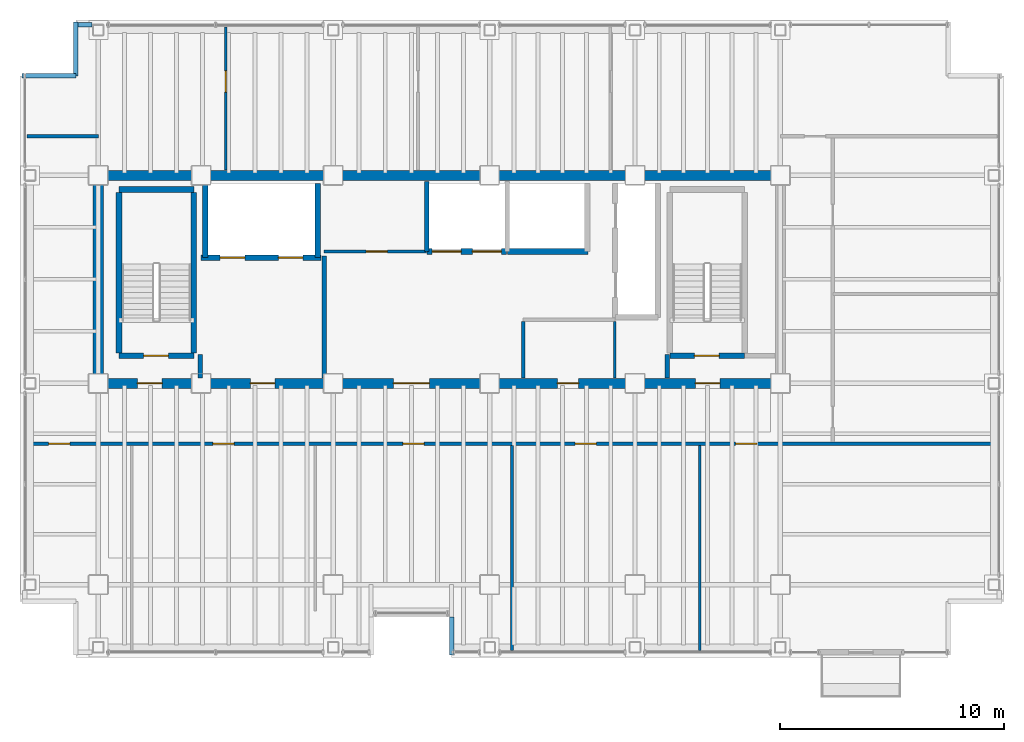
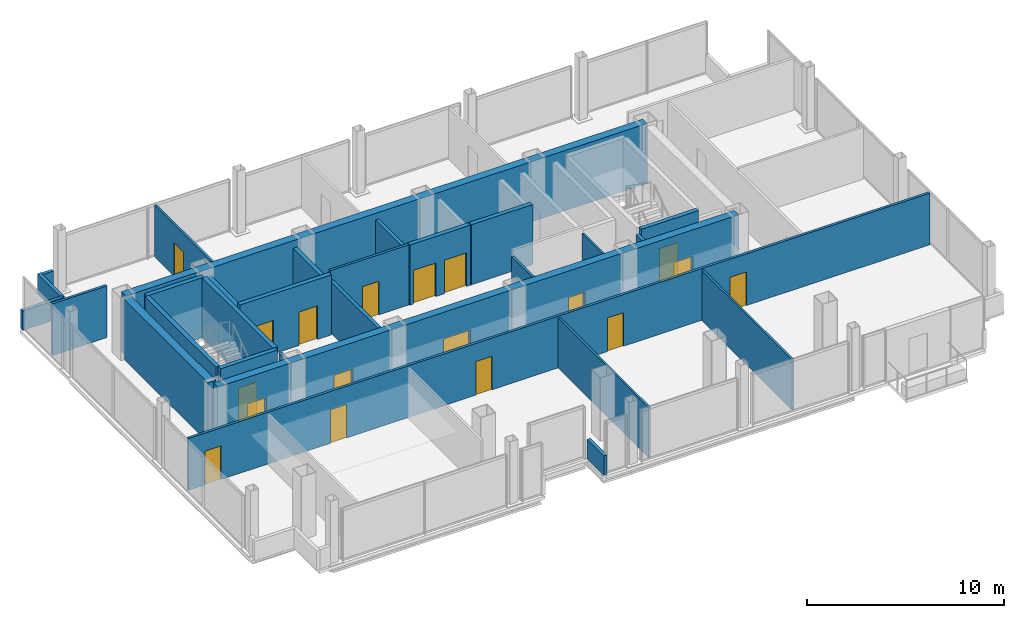
# One storey, part 13 of 16: 29 walls, 18 doors, 18 openings.
"""IFC4 building model written with IfcOpenShell, lengths in metres."""

from ifc_helpers import new_model, si_unit, direction, frame, frame_2d, origin, place, context, subcontext, project, spatial, rectangle, extrude, material, layer, layer_set, type_object, element, fill, save


model = new_model("IFC4")

# Units and contexts
model_context = context("Model", 3, precision=1e-05, world=origin(), true_north=direction((0.0, 1.0)))
body_context = subcontext(model_context, "Body", "Model", "MODEL_VIEW")
ifc_project = project(units=[si_unit("LENGTHUNIT", "METRE"), si_unit("AREAUNIT", "SQUARE_METRE"), si_unit("VOLUMEUNIT", "CUBIC_METRE"), si_unit("PLANEANGLEUNIT", "RADIAN"), si_unit("MASSUNIT", "GRAM", prefix="KILO")], contexts=[model_context])

# Site, building, storey
site_placement = place(None, origin())
site = spatial("IfcSite", under=ifc_project, at=site_placement, CompositionType="ELEMENT")
building_placement = place(site_placement, origin())
building = spatial("IfcBuilding", under=site, at=building_placement, Name="Noeulbin Bourse Tower", CompositionType="ELEMENT")
storey_placement = place(building_placement, frame((0.0, 0.0, 185.10009765625)))
storey = spatial("IfcBuildingStorey", under=building, at=storey_placement, Name="L46", CompositionType="ELEMENT", Elevation=185.10009765625)

# Wall, openings, doors
ifc_material_1 = material(Name="Concrete C50/60", Category="concrete")
ifc_layer_1 = layer(ifc_material_1, 0.449951171875)
ifc_layer_set_1 = layer_set([ifc_layer_1], Name="Concrete C50/60")
wall_type_1 = type_object("IfcWallType", Name="WAL-CORE-450", PredefinedType="SHEAR", material=ifc_layer_set_1)
wall_1_placement = place(storey_placement, frame((13.5, 29.0, 0.0), z_axis=(0.0, 0.0, 1.0), x_axis=(1.0, 0.0, 0.0)))
wall_1 = element("IfcWall", 1, at=wall_1_placement, inside=storey, type_object=wall_type_1, Name="Rear Core South Shear Wall L46", PredefinedType="SHEAR", context=body_context, shape_type="SweptSolid", body=[
    extrude(rectangle(XDim=30.5, YDim=0.449951171875, at=frame_2d((15.25, 0.0))), origin(), (0.0, 0.0, 1.0), 3.719970703125),
])
opening_1_placement = place(wall_1_placement, frame((1.75, 0.0, 0.0)))
opening_1 = element("IfcOpeningElement", 2, at=opening_1_placement, cuts=wall_1, Name="Opening FD-11", PredefinedType="OPENING", context=body_context, shape_type="SweptSolid", body=[
    extrude(rectangle(XDim=1.10009765625, YDim=2.080078125, at=frame_2d((0.550048828125, 1.0400390625))), frame((0.0, 0.23486328125, 0.0), z_axis=(0.0, -1.0, 0.0), x_axis=(1.0, 0.0, 0.0)), (0.0, 0.0, 1.0), 0.469970703125),
])
opening_2_placement = place(wall_1_placement, frame((26.699951171875, 0.0, 0.0)))
opening_2 = element("IfcOpeningElement", 3, at=opening_2_placement, cuts=wall_1, Name="Opening FD-11", PredefinedType="OPENING", context=body_context, shape_type="SweptSolid", body=[
    extrude(rectangle(XDim=1.10009765625, YDim=2.080078125, at=frame_2d((0.550048828125, 1.0400390625))), frame((0.0, 0.23486328125, 0.0), z_axis=(0.0, -1.0, 0.0), x_axis=(1.0, 0.0, 0.0)), (0.0, 0.0, 1.0), 0.469970703125),
])
opening_3_placement = place(wall_1_placement, frame((6.800048828125, 0.0, 0.0)))
opening_3 = element("IfcOpeningElement", 4, at=opening_3_placement, cuts=wall_1, Name="Opening FD-11", PredefinedType="OPENING", context=body_context, shape_type="SweptSolid", body=[
    extrude(rectangle(XDim=1.10009765625, YDim=2.080078125, at=frame_2d((0.550048828125, 1.0400390625))), frame((0.0, 0.23486328125, 0.0), z_axis=(0.0, -1.0, 0.0), x_axis=(1.0, 0.0, 0.0)), (0.0, 0.0, 1.0), 0.469970703125),
])
opening_4_placement = place(wall_1_placement, frame((13.199951171875, 0.0, 0.0)))
opening_4 = element("IfcOpeningElement", 5, at=opening_4_placement, cuts=wall_1, Name="Opening ID-16", PredefinedType="OPENING", context=body_context, shape_type="SweptSolid", body=[
    extrude(rectangle(XDim=1.60009765625, YDim=2.080078125, at=frame_2d((0.800048828125, 1.0400390625))), frame((0.0, 0.23486328125, 0.0), z_axis=(0.0, -1.0, 0.0), x_axis=(1.0, 0.0, 0.0)), (0.0, 0.0, 1.0), 0.469970703125),
])
opening_5_placement = place(wall_1_placement, frame((20.52490234375, 0.0, 0.0)))
opening_5 = element("IfcOpeningElement", 6, at=opening_5_placement, cuts=wall_1, Name="Opening ID-09", PredefinedType="OPENING", context=body_context, shape_type="SweptSolid", body=[
    extrude(rectangle(XDim=0.949951171875, YDim=2.080078125, at=frame_2d((0.47509765625, 1.0400390625))), frame((0.0, 0.23486328125, 0.0), z_axis=(0.0, -1.0, 0.0), x_axis=(1.0, 0.0, 0.0)), (0.0, 0.0, 1.0), 0.469970703125),
])
ifc_material_2 = material(Name="Acoustic Glazed Aluminium", Category="aluminium")
door_type_1 = type_object("IfcDoorType", Name="DR-DBL-1600", OperationType="DOUBLE_DOOR_SINGLE_SWING", PredefinedType="DOOR", material=ifc_material_2)
door_1_placement = place(opening_4_placement, origin())
door_1 = element("IfcDoor", 7, at=door_1_placement, inside=storey, type_object=door_type_1, Name="Passenger Lift Lobby Portal L46", OperationType="DOUBLE_DOOR_SINGLE_SWING", OverallHeight=2.080078125, OverallWidth=1.60009765625, PredefinedType="DOOR", context=body_context, shape_type="SweptSolid", body=[
    extrude(rectangle(XDim=1.60009765625, YDim=2.080078125, at=frame_2d((0.800048828125, 1.0400390625))), frame((0.0, 0.02490234375, 0.0), z_axis=(0.0, -1.0, 0.0), x_axis=(1.0, 0.0, 0.0)), (0.0, 0.0, 1.0), 0.050048828125),
])
fill(opening_4, door_1)
ifc_material_3 = material(Name="Fire-Rated Insulated Steel", Category="steel")
door_type_2 = type_object("IfcDoorType", Name="DR-FD60-1100", OperationType="SINGLE_SWING_LEFT", PredefinedType="DOOR", material=ifc_material_3)
door_2_placement = place(opening_1_placement, origin())
door_2 = element("IfcDoor", 8, at=door_2_placement, inside=storey, type_object=door_type_2, Name="West Stair Lobby Door L46", OperationType="SINGLE_SWING_RIGHT", OverallHeight=2.080078125, OverallWidth=1.10009765625, PredefinedType="DOOR", context=body_context, shape_type="SweptSolid", body=[
    extrude(rectangle(XDim=1.10009765625, YDim=2.080078125, at=frame_2d((0.550048828125, 1.0400390625))), frame((0.0, 0.02490234375, 0.0), z_axis=(0.0, -1.0, 0.0), x_axis=(1.0, 0.0, 0.0)), (0.0, 0.0, 1.0), 0.050048828125),
])
fill(opening_1, door_2)
door_3_placement = place(opening_2_placement, origin())
door_3 = element("IfcDoor", 9, at=door_3_placement, inside=storey, type_object=door_type_2, Name="East Stair Lobby Door L46", OperationType="SINGLE_SWING_LEFT", OverallHeight=2.080078125, OverallWidth=1.10009765625, PredefinedType="DOOR", context=body_context, shape_type="SweptSolid", body=[
    extrude(rectangle(XDim=1.10009765625, YDim=2.080078125, at=frame_2d((0.550048828125, 1.0400390625))), frame((0.0, 0.02490234375, 0.0), z_axis=(0.0, -1.0, 0.0), x_axis=(1.0, 0.0, 0.0)), (0.0, 0.0, 1.0), 0.050048828125),
])
fill(opening_2, door_3)
door_4_placement = place(opening_3_placement, origin())
door_4 = element("IfcDoor", 10, at=door_4_placement, inside=storey, type_object=door_type_2, Name="Firefighting Lobby Door L46", OperationType="SINGLE_SWING_RIGHT", OverallHeight=2.080078125, OverallWidth=1.10009765625, PredefinedType="DOOR", context=body_context, shape_type="SweptSolid", body=[
    extrude(rectangle(XDim=1.10009765625, YDim=2.080078125, at=frame_2d((0.550048828125, 1.0400390625))), frame((0.0, 0.02490234375, 0.0), z_axis=(0.0, -1.0, 0.0), x_axis=(1.0, 0.0, 0.0)), (0.0, 0.0, 1.0), 0.050048828125),
])
fill(opening_3, door_4)
ifc_material_4 = material(Name="Acoustic Solid-Core Timber", Category="wood")
door_type_3 = type_object("IfcDoorType", Name="DR-SINGLE-950", OperationType="SINGLE_SWING_LEFT", PredefinedType="DOOR", material=ifc_material_4)
door_5_placement = place(opening_5_placement, origin())
door_5 = element("IfcDoor", 11, at=door_5_placement, inside=storey, type_object=door_type_3, Name="Interior Door L46-06", OperationType="SINGLE_SWING_LEFT", OverallHeight=2.080078125, OverallWidth=0.949951171875, PredefinedType="DOOR", context=body_context, shape_type="SweptSolid", body=[
    extrude(rectangle(XDim=0.949951171875, YDim=2.080078125, at=frame_2d((0.47509765625, 1.0400390625))), frame((0.0, 0.02490234375, 0.0), z_axis=(0.0, -1.0, 0.0), x_axis=(1.0, 0.0, 0.0)), (0.0, 0.0, 1.0), 0.050048828125),
])
fill(opening_5, door_5)

# Walls
wall_2_placement = place(storey_placement, frame((13.5, 38.300048828125, 0.0), z_axis=(0.0, 0.0, 1.0), x_axis=(1.0, 0.0, 0.0)))
element("IfcWall", 12, at=wall_2_placement, inside=storey, type_object=wall_type_1, Name="Rear Core North Shear Wall L46", PredefinedType="SHEAR", context=body_context, shape_type="SweptSolid", body=[
    extrude(rectangle(XDim=30.5, YDim=0.449951171875, at=frame_2d((15.25, 0.0))), origin(), (0.0, 0.0, 1.0), 3.719970703125),
])
wall_3_placement = place(storey_placement, frame((13.5, 29.35009765625, 0.0), z_axis=(0.0, 0.0, 1.0), x_axis=(0.0, 1.0, 0.0)))
element("IfcWall", 13, at=wall_3_placement, inside=storey, type_object=wall_type_1, Name="Rear Core West Shear Wall L46", PredefinedType="SHEAR", context=body_context, shape_type="SweptSolid", body=[
    extrude(rectangle(XDim=8.599853515625, YDim=0.449951171875, at=frame_2d((4.2998046875, 0.0))), origin(), (0.0, 0.0, 1.0), 3.719970703125),
])
ifc_material_5 = material(Name="Concrete C40/50", Category="concrete")
ifc_layer_2 = layer(ifc_material_5, 0.199951171875)
ifc_layer_set_2 = layer_set([ifc_layer_2], Name="Concrete C40/50")
wall_type_2 = type_object("IfcWallType", Name="WAL-FIRE-200", PredefinedType="STANDARD", material=ifc_layer_set_2)
for number, where, z_axis, x_axis, name in (
    (14, (18.050048828125, 29.235107421875, 0.0), (0.0, 0.0, 1.0), (0.0, 1.0, 0.0), "Interior Partition Wall L46-08"),
    (15, (38.949951171875, 29.235107421875, 0.0), (0.0, 0.0, 1.0), (0.0, 1.0, 0.0), "Interior Partition Wall L46-09"),
):
    element("IfcWall", number, at=place(storey_placement, frame(where, z_axis=z_axis, x_axis=x_axis)), inside=storey, type_object=wall_type_2, Name=name, PredefinedType="STANDARD", context=body_context, shape_type="SweptSolid", body=[
        extrude(rectangle(XDim=1.06494140625, YDim=0.199951171875, at=frame_2d((0.532470703125, 0.0))), origin(), (0.0, 0.0, 1.0), 3.349853515625),
    ])
wall_4_placement = place(storey_placement, frame((23.60009765625, 29.235107421875, 0.0), z_axis=(0.0, 0.0, 1.0), x_axis=(0.0, 1.0, 0.0)))
element("IfcWall", 16, at=wall_4_placement, inside=storey, type_object=wall_type_2, Name="Interior Partition Wall L46-10", PredefinedType="STANDARD", context=body_context, shape_type="SweptSolid", body=[
    extrude(rectangle(XDim=5.46484375, YDim=0.199951171875, at=frame_2d((2.732421875, 0.0))), origin(), (0.0, 0.0, 1.0), 3.199951171875),
])
ifc_layer_3 = layer(ifc_material_5, 0.199951171875)
ifc_layer_set_3 = layer_set([ifc_layer_3], Name="Concrete C40/50")
wall_type_3 = type_object("IfcWallType", Name="WAL-PAR-200", PredefinedType="PARAPET", material=ifc_layer_set_3)
wall_5_placement = place(storey_placement, frame((12.60009765625, 45.030029296875, 0.0), z_axis=(0.0, 0.0, 1.0), x_axis=(1.0, 0.0, 0.0)))
element("IfcWall", 17, at=wall_5_placement, inside=storey, type_object=wall_type_3, Name="Perimeter Pier Spandrel Parapet L46-N1", PredefinedType="PARAPET", context=body_context, shape_type="SweptSolid", body=[
    extrude(rectangle(XDim=0.6298828125, YDim=0.199951171875, at=frame_2d((0.31494140625, 0.0))), origin(), (0.0, 0.0, 1.0), 1.199951171875),
])
for number, where, z_axis, x_axis, name in (
    (18, (10.10009765625, 42.75, 0.0), (0.0, 0.0, 1.0), (1.0, 0.0, 0.0), "Corner Notch Parapet L46-NW1"),
    (19, (12.5, 42.75, 0.0), (0.0, 0.0, 1.0), (0.0, 1.0, 0.0), "Corner Notch Parapet L46-NW2"),
):
    element("IfcWall", number, at=place(storey_placement, frame(where, z_axis=z_axis, x_axis=x_axis)), inside=storey, type_object=wall_type_3, Name=name, PredefinedType="PARAPET", context=body_context, shape_type="SweptSolid", body=[
        extrude(rectangle(XDim=2.39990234375, YDim=0.199951171875, at=frame_2d((1.199951171875, 0.0))), origin(), (0.0, 0.0, 1.0), 1.199951171875),
    ])
wall_6_placement = place(storey_placement, frame((29.300048828125, 18.550048828125, 0.0), z_axis=(0.0, 0.0, 1.0), x_axis=(0.0, -1.0, 0.0)))
element("IfcWall", 20, at=wall_6_placement, inside=storey, type_object=wall_type_3, Name="Sky-Garden Recess Parapet L46-E", PredefinedType="PARAPET", context=body_context, shape_type="SweptSolid", body=[
    extrude(rectangle(XDim=1.699951171875, YDim=0.199951171875, at=frame_2d((0.85009765625, 0.0))), origin(), (0.0, 0.0, 1.0), 1.199951171875),
])
ifc_material_6 = material(Name="Steel Stud Gypsum Partition", Category="steel")
ifc_layer_4 = layer(ifc_material_6, 0.1201171875)
ifc_layer_set_4 = layer_set([ifc_layer_4], Name="Steel Stud Gypsum Partition")
wall_type_4 = type_object("IfcWallType", Name="WAL-PRT-120", PredefinedType="PARTITIONING", material=ifc_layer_set_4)
wall_7_placement = place(storey_placement, frame((36.60009765625, 29.235107421875, 0.0), z_axis=(0.0, 0.0, 1.0), x_axis=(0.0, 1.0, 0.0)))
element("IfcWall", 21, at=wall_7_placement, inside=storey, type_object=wall_type_4, Name="Interior Partition Wall L46-12", PredefinedType="PARTITIONING", context=body_context, shape_type="SweptSolid", body=[
    extrude(rectangle(XDim=2.52978515625, YDim=0.1201171875, at=frame_2d((1.264892578125, 0.0))), origin(), (0.0, 0.0, 1.0), 3.349853515625),
])
for number, where, z_axis, x_axis, name in (
    (22, (32.0, 17.06005859375, 0.0), (0.0, 0.0, 1.0), (0.0, 1.0, 0.0), "Interior Partition Wall L46-16"),
    (23, (40.39990234375, 17.06005859375, 0.0), (0.0, 0.0, 1.0), (0.0, 1.0, 0.0), "Interior Partition Wall L46-17"),
):
    element("IfcWall", number, at=place(storey_placement, frame(where, z_axis=z_axis, x_axis=x_axis)), inside=storey, type_object=wall_type_4, Name=name, PredefinedType="PARTITIONING", context=body_context, shape_type="SweptSolid", body=[
        extrude(rectangle(XDim=9.155029296875, YDim=0.1201171875, at=frame_2d((4.57763671875, 0.0))), origin(), (0.0, 0.0, 1.0), 3.099853515625),
    ])

# Wall, opening, door
wall_8_placement = place(storey_placement, frame((19.199951171875, 38.534912109375, 0.0), z_axis=(0.0, 0.0, 1.0), x_axis=(0.0, 1.0, 0.0)))
wall_8 = element("IfcWall", 24, at=wall_8_placement, inside=storey, type_object=wall_type_4, Name="Interior Partition Wall L46-18", PredefinedType="PARTITIONING", context=body_context, shape_type="SweptSolid", body=[
    extrude(rectangle(XDim=6.405029296875, YDim=0.1201171875, at=frame_2d((3.20263671875, 0.0))), origin(), (0.0, 0.0, 1.0), 3.2119140625),
])
opening_6_placement = place(wall_8_placement, frame((3.485107421875, 0.0, 0.0)))
opening_6 = element("IfcOpeningElement", 25, at=opening_6_placement, cuts=wall_8, Name="Opening ID-09", PredefinedType="OPENING", context=body_context, shape_type="SweptSolid", body=[
    extrude(rectangle(XDim=0.949951171875, YDim=2.080078125, at=frame_2d((0.47509765625, 1.0400390625))), frame((0.0, 0.070068359375, 0.0), z_axis=(0.0, -1.0, 0.0), x_axis=(1.0, 0.0, 0.0)), (0.0, 0.0, 1.0), 0.14013671875),
])
door_6_placement = place(opening_6_placement, origin())
door_6 = element("IfcDoor", 26, at=door_6_placement, inside=storey, type_object=door_type_3, Name="Interior Door L46-15", OperationType="SINGLE_SWING_RIGHT", OverallHeight=2.080078125, OverallWidth=0.949951171875, PredefinedType="DOOR", context=body_context, shape_type="SweptSolid", body=[
    extrude(rectangle(XDim=0.949951171875, YDim=2.080078125, at=frame_2d((0.47509765625, 1.0400390625))), frame((0.0, 0.02490234375, 0.0), z_axis=(0.0, -1.0, 0.0), x_axis=(1.0, 0.0, 0.0)), (0.0, 0.0, 1.0), 0.050048828125),
])
fill(opening_6, door_6)

ifc_material_7 = material(Name="Steel Stud Acoustic Gypsum Board", Category="steel")
ifc_layer_5 = layer(ifc_material_7, 0.14990234375)
ifc_layer_set_5 = layer_set([ifc_layer_5], Name="Steel Stud Acoustic Gypsum Board")
wall_type_5 = type_object("IfcWallType", Name="WAL-PRT-150", PredefinedType="PARTITIONING", material=ifc_layer_set_5)
wall_9_placement = place(storey_placement, frame((23.60009765625, 34.89990234375, 0.0), z_axis=(0.0, 0.0, 1.0), x_axis=(1.0, 0.0, 0.0)))
wall_9 = element("IfcWall", 27, at=wall_9_placement, inside=storey, type_object=wall_type_5, Name="Interior Partition Wall L46-02", PredefinedType="PARTITIONING", context=body_context, shape_type="SweptSolid", body=[
    extrude(rectangle(XDim=4.579833984375, YDim=0.14990234375, at=frame_2d((2.2900390625, 0.0))), origin(), (0.0, 0.0, 1.0), 3.719970703125),
])
opening_7_placement = place(wall_9_placement, frame((1.875, 0.0, 0.0)))
opening_7 = element("IfcOpeningElement", 28, at=opening_7_placement, cuts=wall_9, Name="Opening ID-09", PredefinedType="OPENING", context=body_context, shape_type="SweptSolid", body=[
    extrude(rectangle(XDim=0.949951171875, YDim=2.080078125, at=frame_2d((0.47509765625, 1.0400390625))), frame((0.0, 0.0849609375, 0.0), z_axis=(0.0, -1.0, 0.0), x_axis=(1.0, 0.0, 0.0)), (0.0, 0.0, 1.0), 0.169921875),
])
door_7_placement = place(opening_7_placement, origin())
door_7 = element("IfcDoor", 29, at=door_7_placement, inside=storey, type_object=door_type_3, Name="Archive Room Door L46", OperationType="SINGLE_SWING_RIGHT", OverallHeight=2.080078125, OverallWidth=0.949951171875, PredefinedType="DOOR", context=body_context, shape_type="SweptSolid", body=[
    extrude(rectangle(XDim=0.949951171875, YDim=2.080078125, at=frame_2d((0.47509765625, 1.0400390625))), frame((0.0, 0.02490234375, 0.0), z_axis=(0.0, -1.0, 0.0), x_axis=(1.0, 0.0, 0.0)), (0.0, 0.0, 1.0), 0.050048828125),
])
fill(opening_7, door_7)

# Wall, openings, doors
wall_10_placement = place(storey_placement, frame((10.31005859375, 26.300048828125, 0.0), z_axis=(0.0, 0.0, 1.0), x_axis=(1.0, 0.0, 0.0)))
wall_10 = element("IfcWall", 30, at=wall_10_placement, inside=storey, type_object=wall_type_5, Name="Interior Partition Wall L46-04", PredefinedType="PARTITIONING", context=body_context, shape_type="SweptSolid", body=[
    extrude(rectangle(XDim=43.3798828125, YDim=0.14990234375, at=frame_2d((21.68994140625, 0.0))), origin(), (0.0, 0.0, 1.0), 3.199951171875),
])
opening_8_placement = place(wall_10_placement, frame((0.969970703125, 0.0, 0.0)))
opening_8 = element("IfcOpeningElement", 31, at=opening_8_placement, cuts=wall_10, Name="Opening ID-09", PredefinedType="OPENING", context=body_context, shape_type="SweptSolid", body=[
    extrude(rectangle(XDim=0.949951171875, YDim=2.080078125, at=frame_2d((0.47509765625, 1.0400390625))), frame((0.0, 0.0849609375, 0.0), z_axis=(0.0, -1.0, 0.0), x_axis=(1.0, 0.0, 0.0)), (0.0, 0.0, 1.0), 0.169921875),
])
opening_9_placement = place(wall_10_placement, frame((8.31494140625, 0.0, 0.0)))
opening_9 = element("IfcOpeningElement", 32, at=opening_9_placement, cuts=wall_10, Name="Opening ID-09", PredefinedType="OPENING", context=body_context, shape_type="SweptSolid", body=[
    extrude(rectangle(XDim=0.949951171875, YDim=2.080078125, at=frame_2d((0.47509765625, 1.0400390625))), frame((0.0, 0.0849609375, 0.0), z_axis=(0.0, -1.0, 0.0), x_axis=(1.0, 0.0, 0.0)), (0.0, 0.0, 1.0), 0.169921875),
])
opening_10_placement = place(wall_10_placement, frame((16.81494140625, 0.0, 0.0)))
opening_10 = element("IfcOpeningElement", 33, at=opening_10_placement, cuts=wall_10, Name="Opening ID-09", PredefinedType="OPENING", context=body_context, shape_type="SweptSolid", body=[
    extrude(rectangle(XDim=0.949951171875, YDim=2.080078125, at=frame_2d((0.47509765625, 1.0400390625))), frame((0.0, 0.0849609375, 0.0), z_axis=(0.0, -1.0, 0.0), x_axis=(1.0, 0.0, 0.0)), (0.0, 0.0, 1.0), 0.169921875),
])
opening_11_placement = place(wall_10_placement, frame((24.514892578125, 0.0, 0.0)))
opening_11 = element("IfcOpeningElement", 34, at=opening_11_placement, cuts=wall_10, Name="Opening ID-09", PredefinedType="OPENING", context=body_context, shape_type="SweptSolid", body=[
    extrude(rectangle(XDim=0.949951171875, YDim=2.080078125, at=frame_2d((0.47509765625, 1.0400390625))), frame((0.0, 0.0849609375, 0.0), z_axis=(0.0, -1.0, 0.0), x_axis=(1.0, 0.0, 0.0)), (0.0, 0.0, 1.0), 0.169921875),
])
opening_12_placement = place(wall_10_placement, frame((31.68994140625, 0.0, 0.0)))
opening_12 = element("IfcOpeningElement", 35, at=opening_12_placement, cuts=wall_10, Name="Opening ID-09", PredefinedType="OPENING", context=body_context, shape_type="SweptSolid", body=[
    extrude(rectangle(XDim=0.949951171875, YDim=2.080078125, at=frame_2d((0.47509765625, 1.0400390625))), frame((0.0, 0.0849609375, 0.0), z_axis=(0.0, -1.0, 0.0), x_axis=(1.0, 0.0, 0.0)), (0.0, 0.0, 1.0), 0.169921875),
])
door_8_placement = place(opening_8_placement, origin())
door_8 = element("IfcDoor", 36, at=door_8_placement, inside=storey, type_object=door_type_3, Name="Interior Door L46-07", OperationType="SINGLE_SWING_RIGHT", OverallHeight=2.080078125, OverallWidth=0.949951171875, PredefinedType="DOOR", context=body_context, shape_type="SweptSolid", body=[
    extrude(rectangle(XDim=0.949951171875, YDim=2.080078125, at=frame_2d((0.47509765625, 1.0400390625))), frame((0.0, 0.02490234375, 0.0), z_axis=(0.0, -1.0, 0.0), x_axis=(1.0, 0.0, 0.0)), (0.0, 0.0, 1.0), 0.050048828125),
])
fill(opening_8, door_8)
door_9_placement = place(opening_9_placement, origin())
door_9 = element("IfcDoor", 37, at=door_9_placement, inside=storey, type_object=door_type_3, Name="Interior Door L46-08", OperationType="SINGLE_SWING_LEFT", OverallHeight=2.080078125, OverallWidth=0.949951171875, PredefinedType="DOOR", context=body_context, shape_type="SweptSolid", body=[
    extrude(rectangle(XDim=0.949951171875, YDim=2.080078125, at=frame_2d((0.47509765625, 1.0400390625))), frame((0.0, 0.02490234375, 0.0), z_axis=(0.0, -1.0, 0.0), x_axis=(1.0, 0.0, 0.0)), (0.0, 0.0, 1.0), 0.050048828125),
])
fill(opening_9, door_9)
door_10_placement = place(opening_10_placement, origin())
door_10 = element("IfcDoor", 38, at=door_10_placement, inside=storey, type_object=door_type_3, Name="Interior Door L46-09", OperationType="SINGLE_SWING_RIGHT", OverallHeight=2.080078125, OverallWidth=0.949951171875, PredefinedType="DOOR", context=body_context, shape_type="SweptSolid", body=[
    extrude(rectangle(XDim=0.949951171875, YDim=2.080078125, at=frame_2d((0.47509765625, 1.0400390625))), frame((0.0, 0.02490234375, 0.0), z_axis=(0.0, -1.0, 0.0), x_axis=(1.0, 0.0, 0.0)), (0.0, 0.0, 1.0), 0.050048828125),
])
fill(opening_10, door_10)
door_11_placement = place(opening_11_placement, origin())
door_11 = element("IfcDoor", 39, at=door_11_placement, inside=storey, type_object=door_type_3, Name="Interior Door L46-10", OperationType="SINGLE_SWING_LEFT", OverallHeight=2.080078125, OverallWidth=0.949951171875, PredefinedType="DOOR", context=body_context, shape_type="SweptSolid", body=[
    extrude(rectangle(XDim=0.949951171875, YDim=2.080078125, at=frame_2d((0.47509765625, 1.0400390625))), frame((0.0, 0.02490234375, 0.0), z_axis=(0.0, -1.0, 0.0), x_axis=(1.0, 0.0, 0.0)), (0.0, 0.0, 1.0), 0.050048828125),
])
fill(opening_11, door_11)
door_12_placement = place(opening_12_placement, origin())
door_12 = element("IfcDoor", 40, at=door_12_placement, inside=storey, type_object=door_type_3, Name="Interior Door L46-11", OperationType="SINGLE_SWING_RIGHT", OverallHeight=2.080078125, OverallWidth=0.949951171875, PredefinedType="DOOR", context=body_context, shape_type="SweptSolid", body=[
    extrude(rectangle(XDim=0.949951171875, YDim=2.080078125, at=frame_2d((0.47509765625, 1.0400390625))), frame((0.0, 0.02490234375, 0.0), z_axis=(0.0, -1.0, 0.0), x_axis=(1.0, 0.0, 0.0)), (0.0, 0.0, 1.0), 0.050048828125),
])
fill(opening_12, door_12)

# Walls
wall_11_placement = place(storey_placement, frame((10.31005859375, 40.050048828125, 0.0), z_axis=(0.0, 0.0, 1.0), x_axis=(1.0, 0.0, 0.0)))
element("IfcWall", 41, at=wall_11_placement, inside=storey, type_object=wall_type_5, Name="Interior Partition Wall L46-06", PredefinedType="PARTITIONING", context=body_context, shape_type="SweptSolid", body=[
    extrude(rectangle(XDim=3.18994140625, YDim=0.14990234375, at=frame_2d((1.594970703125, 0.0))), origin(), (0.0, 0.0, 1.0), 3.199951171875),
])
wall_12_placement = place(storey_placement, frame((32.5, 29.235107421875, 0.0), z_axis=(0.0, 0.0, 1.0), x_axis=(0.0, 1.0, 0.0)))
element("IfcWall", 42, at=wall_12_placement, inside=storey, type_object=wall_type_5, Name="Interior Partition Wall L46-11", PredefinedType="PARTITIONING", context=body_context, shape_type="SweptSolid", body=[
    extrude(rectangle(XDim=2.52978515625, YDim=0.14990234375, at=frame_2d((1.264892578125, 0.0))), origin(), (0.0, 0.0, 1.0), 3.349853515625),
])

# Wall, opening, door
ifc_layer_6 = layer(ifc_material_5, 0.25)
ifc_layer_set_6 = layer_set([ifc_layer_6], Name="Concrete C40/50")
wall_type_6 = type_object("IfcWallType", Name="WAL-SHFT-250", PredefinedType="STANDARD", material=ifc_layer_set_6)
wall_13_placement = place(storey_placement, frame((14.429931640625, 30.235107421875, 0.0), z_axis=(0.0, 0.0, 1.0), x_axis=(1.0, 0.0, 0.0)))
wall_13 = element("IfcWall", 43, at=wall_13_placement, inside=storey, type_object=wall_type_6, Name="Stair ST-1 South Shaft Wall L46", PredefinedType="STANDARD", context=body_context, shape_type="SweptSolid", body=[
    extrude(rectangle(XDim=3.340087890625, YDim=0.25, at=frame_2d((1.669921875, 0.0))), origin(), (0.0, 0.0, 1.0), 3.719970703125),
])
opening_13_placement = place(wall_13_placement, frame((1.10009765625, 0.0, 0.0)))
opening_13 = element("IfcOpeningElement", 44, at=opening_13_placement, cuts=wall_13, Name="Opening FD-11", PredefinedType="OPENING", context=body_context, shape_type="SweptSolid", body=[
    extrude(rectangle(XDim=1.10009765625, YDim=2.080078125, at=frame_2d((0.550048828125, 1.0400390625))), frame((0.0, 0.135009765625, 0.0), z_axis=(0.0, -1.0, 0.0), x_axis=(1.0, 0.0, 0.0)), (0.0, 0.0, 1.0), 0.27001953125),
])
door_13_placement = place(opening_13_placement, origin())
door_13 = element("IfcDoor", 45, at=door_13_placement, inside=storey, type_object=door_type_2, Name="Protected Stair Entry Door ST1-L46", OperationType="SINGLE_SWING_RIGHT", OverallHeight=2.080078125, OverallWidth=1.10009765625, PredefinedType="DOOR", context=body_context, shape_type="SweptSolid", body=[
    extrude(rectangle(XDim=1.10009765625, YDim=2.080078125, at=frame_2d((0.550048828125, 1.0400390625))), frame((0.0, 0.02490234375, 0.0), z_axis=(0.0, -1.0, 0.0), x_axis=(1.0, 0.0, 0.0)), (0.0, 0.0, 1.0), 0.050048828125),
])
fill(opening_13, door_13)

# Walls
wall_14_placement = place(storey_placement, frame((14.429931640625, 37.6689453125, 0.0), z_axis=(0.0, 0.0, 1.0), x_axis=(1.0, 0.0, 0.0)))
element("IfcWall", 46, at=wall_14_placement, inside=storey, type_object=wall_type_6, Name="Stair ST-1 North Shaft Wall L46", PredefinedType="STANDARD", context=body_context, shape_type="SweptSolid", body=[
    extrude(rectangle(XDim=3.340087890625, YDim=0.25, at=frame_2d((1.669921875, 0.0))), origin(), (0.0, 0.0, 1.0), 3.719970703125),
])
for number, where, z_axis, x_axis, name in (
    (47, (14.425048828125, 30.360107421875, 0.0), (0.0, 0.0, 1.0), (0.0, 1.0, 0.0), "Stair ST-1 West Shaft Wall L46"),
    (48, (17.77490234375, 30.360107421875, 0.0), (0.0, 0.0, 1.0), (0.0, 1.0, 0.0), "Stair ST-1 East Shaft Wall L46"),
):
    element("IfcWall", number, at=place(storey_placement, frame(where, z_axis=z_axis, x_axis=x_axis)), inside=storey, type_object=wall_type_6, Name=name, PredefinedType="STANDARD", context=body_context, shape_type="SweptSolid", body=[
        extrude(rectangle(XDim=7.183837890625, YDim=0.25, at=frame_2d((3.591796875, 0.0))), origin(), (0.0, 0.0, 1.0), 3.719970703125),
    ])

# Wall, opening, door
wall_15_placement = place(storey_placement, frame((39.06005859375, 30.235107421875, 0.0), z_axis=(0.0, 0.0, 1.0), x_axis=(1.0, 0.0, 0.0)))
wall_15 = element("IfcWall", 49, at=wall_15_placement, inside=storey, type_object=wall_type_6, Name="Stair ST-2 South Shaft Wall L46", PredefinedType="STANDARD", context=body_context, shape_type="SweptSolid", body=[
    extrude(rectangle(XDim=3.33984375, YDim=0.25, at=frame_2d((1.669921875, 0.0))), origin(), (0.0, 0.0, 1.0), 3.719970703125),
])
opening_14_placement = place(wall_15_placement, frame((1.10009765625, 0.0, 0.0)))
opening_14 = element("IfcOpeningElement", 50, at=opening_14_placement, cuts=wall_15, Name="Opening FD-11", PredefinedType="OPENING", context=body_context, shape_type="SweptSolid", body=[
    extrude(rectangle(XDim=1.10009765625, YDim=2.080078125, at=frame_2d((0.550048828125, 1.0400390625))), frame((0.0, 0.135009765625, 0.0), z_axis=(0.0, -1.0, 0.0), x_axis=(1.0, 0.0, 0.0)), (0.0, 0.0, 1.0), 0.27001953125),
])
door_14_placement = place(opening_14_placement, origin())
door_14 = element("IfcDoor", 51, at=door_14_placement, inside=storey, type_object=door_type_2, Name="Protected Stair Entry Door ST2-L46", OperationType="SINGLE_SWING_LEFT", OverallHeight=2.080078125, OverallWidth=1.10009765625, PredefinedType="DOOR", context=body_context, shape_type="SweptSolid", body=[
    extrude(rectangle(XDim=1.10009765625, YDim=2.080078125, at=frame_2d((0.550048828125, 1.0400390625))), frame((0.0, 0.02490234375, 0.0), z_axis=(0.0, -1.0, 0.0), x_axis=(1.0, 0.0, 0.0)), (0.0, 0.0, 1.0), 0.050048828125),
])
fill(opening_14, door_14)

# Wall, openings, doors
wall_16_placement = place(storey_placement, frame((18.10009765625, 34.6201171875, 0.0), z_axis=(0.0, 0.0, 1.0), x_axis=(1.0, 0.0, 0.0)))
wall_16 = element("IfcWall", 52, at=wall_16_placement, inside=storey, type_object=wall_type_6, Name="Firefighting Lift Shaft Front L46", PredefinedType="STANDARD", context=body_context, shape_type="SweptSolid", body=[
    extrude(rectangle(XDim=5.349853515625, YDim=0.25, at=frame_2d((2.6748046875, 0.0))), origin(), (0.0, 0.0, 1.0), 3.719970703125),
])
opening_15_placement = place(wall_16_placement, frame((0.85009765625, 0.0, 0.0)))
opening_15 = element("IfcOpeningElement", 53, at=opening_15_placement, cuts=wall_16, Name="Opening LD-11", PredefinedType="OPENING", context=body_context, shape_type="SweptSolid", body=[
    extrude(rectangle(XDim=1.10009765625, YDim=2.080078125, at=frame_2d((0.550048828125, 1.0400390625))), frame((0.0, 0.135009765625, 0.0), z_axis=(0.0, -1.0, 0.0), x_axis=(1.0, 0.0, 0.0)), (0.0, 0.0, 1.0), 0.27001953125),
])
opening_16_placement = place(wall_16_placement, frame((3.449951171875, 0.0, 0.0)))
opening_16 = element("IfcOpeningElement", 54, at=opening_16_placement, cuts=wall_16, Name="Opening LD-11", PredefinedType="OPENING", context=body_context, shape_type="SweptSolid", body=[
    extrude(rectangle(XDim=1.10009765625, YDim=2.080078125, at=frame_2d((0.550048828125, 1.0400390625))), frame((0.0, 0.135009765625, 0.0), z_axis=(0.0, -1.0, 0.0), x_axis=(1.0, 0.0, 0.0)), (0.0, 0.0, 1.0), 0.27001953125),
])
ifc_material_8 = material(Name="Brushed Stainless Steel 316", Category="steel")
door_type_4 = type_object("IfcDoorType", Name="DR-LIFT-1100", OperationType="SLIDING_TO_LEFT", PredefinedType="DOOR", material=ifc_material_8)
door_15_placement = place(opening_15_placement, origin())
door_15 = element("IfcDoor", 55, at=door_15_placement, inside=storey, type_object=door_type_4, Name="Lift Landing Door LD-FL-01-L46", OperationType="SLIDING_TO_LEFT", OverallHeight=2.080078125, OverallWidth=1.10009765625, PredefinedType="DOOR", context=body_context, shape_type="SweptSolid", body=[
    extrude(rectangle(XDim=1.10009765625, YDim=2.080078125, at=frame_2d((0.550048828125, 1.0400390625))), frame((0.0, 0.02490234375, 0.0), z_axis=(0.0, -1.0, 0.0), x_axis=(1.0, 0.0, 0.0)), (0.0, 0.0, 1.0), 0.050048828125),
])
fill(opening_15, door_15)
door_16_placement = place(opening_16_placement, origin())
door_16 = element("IfcDoor", 56, at=door_16_placement, inside=storey, type_object=door_type_4, Name="Lift Landing Door LD-FL-02-L46", OperationType="SLIDING_TO_LEFT", OverallHeight=2.080078125, OverallWidth=1.10009765625, PredefinedType="DOOR", context=body_context, shape_type="SweptSolid", body=[
    extrude(rectangle(XDim=1.10009765625, YDim=2.080078125, at=frame_2d((0.550048828125, 1.0400390625))), frame((0.0, 0.02490234375, 0.0), z_axis=(0.0, -1.0, 0.0), x_axis=(1.0, 0.0, 0.0)), (0.0, 0.0, 1.0), 0.050048828125),
])
fill(opening_16, door_16)

# Walls
for number, where, z_axis, x_axis, name in (
    (57, (18.280029296875, 34.6201171875, 0.0), (0.0, 0.0, 1.0), (0.0, 1.0, 0.0), "Firefighting Lift West Shaft Wall L46"),
    (58, (23.320068359375, 34.6201171875, 0.0), (0.0, 0.0, 1.0), (0.0, 1.0, 0.0), "Firefighting Lift East Shaft Wall L46"),
):
    element("IfcWall", number, at=place(storey_placement, frame(where, z_axis=z_axis, x_axis=x_axis)), inside=storey, type_object=wall_type_6, Name=name, PredefinedType="STANDARD", context=body_context, shape_type="SweptSolid", body=[
        extrude(rectangle(XDim=3.329833984375, YDim=0.25, at=frame_2d((1.6650390625, 0.0))), origin(), (0.0, 0.0, 1.0), 3.349853515625),
    ])

# Wall, openings, doors
wall_17_placement = place(storey_placement, frame((28.199951171875, 34.89990234375, 0.0), z_axis=(0.0, 0.0, 1.0), x_axis=(1.0, 0.0, 0.0)))
wall_17 = element("IfcWall", 59, at=wall_17_placement, inside=storey, type_object=wall_type_6, Name="Mid-Rise Lift Bank Front L46", PredefinedType="STANDARD", context=body_context, shape_type="SweptSolid", body=[
    extrude(rectangle(XDim=3.550048828125, YDim=0.25, at=frame_2d((1.77490234375, 0.0))), origin(), (0.0, 0.0, 1.0), 3.719970703125),
])
opening_17_placement = place(wall_17_placement, frame((0.22998046875, 0.0, 0.0)))
opening_17 = element("IfcOpeningElement", 60, at=opening_17_placement, cuts=wall_17, Name="Opening LD-13", PredefinedType="OPENING", context=body_context, shape_type="SweptSolid", body=[
    extrude(rectangle(XDim=1.300048828125, YDim=2.080078125, at=frame_2d((0.64990234375, 1.0400390625))), frame((0.0, 0.135009765625, 0.0), z_axis=(0.0, -1.0, 0.0), x_axis=(1.0, 0.0, 0.0)), (0.0, 0.0, 1.0), 0.27001953125),
])
opening_18_placement = place(wall_17_placement, frame((2.030029296875, 0.0, 0.0)))
opening_18 = element("IfcOpeningElement", 61, at=opening_18_placement, cuts=wall_17, Name="Opening LD-13", PredefinedType="OPENING", context=body_context, shape_type="SweptSolid", body=[
    extrude(rectangle(XDim=1.300048828125, YDim=2.080078125, at=frame_2d((0.64990234375, 1.0400390625))), frame((0.0, 0.135009765625, 0.0), z_axis=(0.0, -1.0, 0.0), x_axis=(1.0, 0.0, 0.0)), (0.0, 0.0, 1.0), 0.27001953125),
])
door_type_5 = type_object("IfcDoorType", Name="DR-LIFT-1300", OperationType="DOUBLE_DOOR_SLIDING", PredefinedType="DOOR", material=ifc_material_8)
door_17_placement = place(opening_17_placement, origin())
door_17 = element("IfcDoor", 62, at=door_17_placement, inside=storey, type_object=door_type_5, Name="Lift Landing Door LD-PL-M1-L46", OperationType="DOUBLE_DOOR_SLIDING", OverallHeight=2.080078125, OverallWidth=1.300048828125, PredefinedType="DOOR", context=body_context, shape_type="SweptSolid", body=[
    extrude(rectangle(XDim=1.300048828125, YDim=2.080078125, at=frame_2d((0.64990234375, 1.0400390625))), frame((0.0, 0.02490234375, 0.0), z_axis=(0.0, -1.0, 0.0), x_axis=(1.0, 0.0, 0.0)), (0.0, 0.0, 1.0), 0.050048828125),
])
fill(opening_17, door_17)
door_18_placement = place(opening_18_placement, origin())
door_18 = element("IfcDoor", 63, at=door_18_placement, inside=storey, type_object=door_type_5, Name="Lift Landing Door LD-PL-M2-L46", OperationType="DOUBLE_DOOR_SLIDING", OverallHeight=2.080078125, OverallWidth=1.300048828125, PredefinedType="DOOR", context=body_context, shape_type="SweptSolid", body=[
    extrude(rectangle(XDim=1.300048828125, YDim=2.080078125, at=frame_2d((0.64990234375, 1.0400390625))), frame((0.0, 0.02490234375, 0.0), z_axis=(0.0, -1.0, 0.0), x_axis=(1.0, 0.0, 0.0)), (0.0, 0.0, 1.0), 0.050048828125),
])
fill(opening_18, door_18)

# Walls
wall_18_placement = place(storey_placement, frame((31.800048828125, 34.89990234375, 0.0), z_axis=(0.0, 0.0, 1.0), x_axis=(1.0, 0.0, 0.0)))
element("IfcWall", 64, at=wall_18_placement, inside=storey, type_object=wall_type_6, Name="High-Rise Lift Bank Front L46", PredefinedType="STANDARD", context=body_context, shape_type="SweptSolid", body=[
    extrude(rectangle(XDim=3.599853515625, YDim=0.25, at=frame_2d((1.7998046875, 0.0))), origin(), (0.0, 0.0, 1.0), 3.719970703125),
])
wall_19_placement = place(storey_placement, frame((28.179931640625, 34.89990234375, 0.0), z_axis=(0.0, 0.0, 1.0), x_axis=(0.0, 1.0, 0.0)))
element("IfcWall", 65, at=wall_19_placement, inside=storey, type_object=wall_type_6, Name="Hoistway Side Shaft Wall L46-PLMW", PredefinedType="STANDARD", context=body_context, shape_type="SweptSolid", body=[
    extrude(rectangle(XDim=3.1201171875, YDim=0.199951171875, at=frame_2d((1.56005859375, 0.0))), origin(), (0.0, 0.0, 1.0), 3.349853515625),
])

save(model, "model.ifc")
